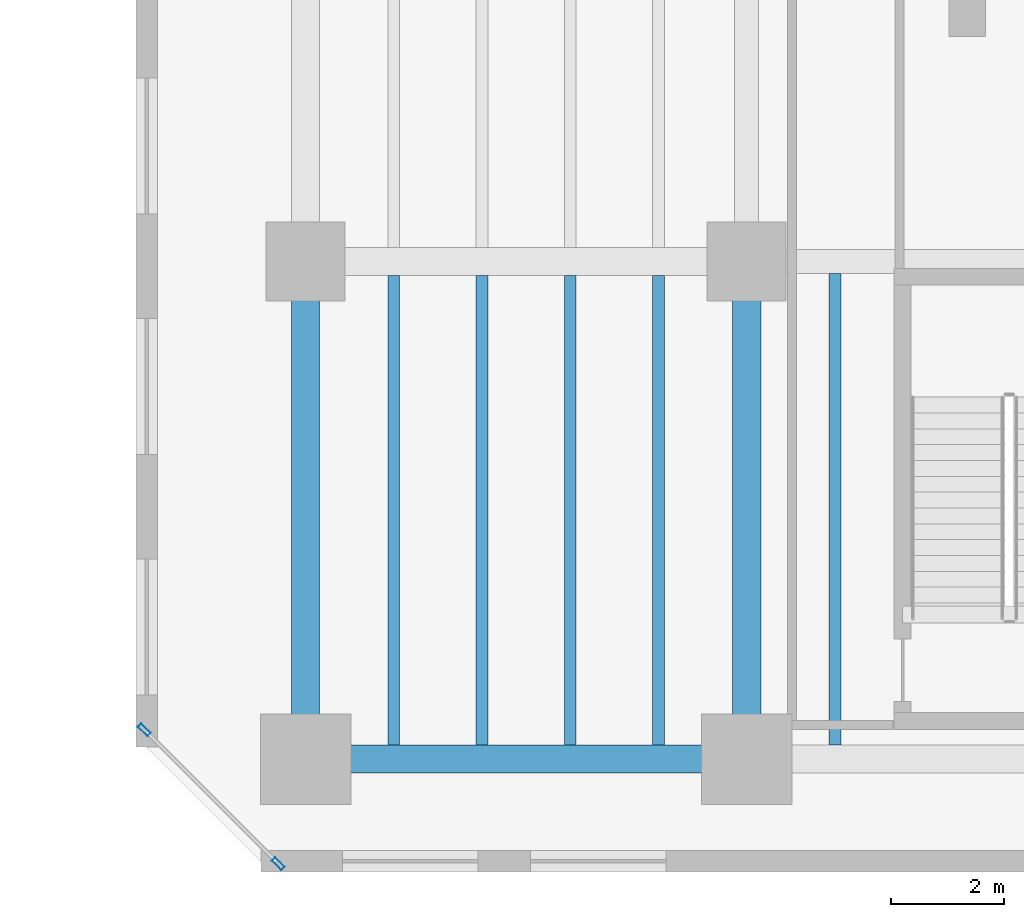
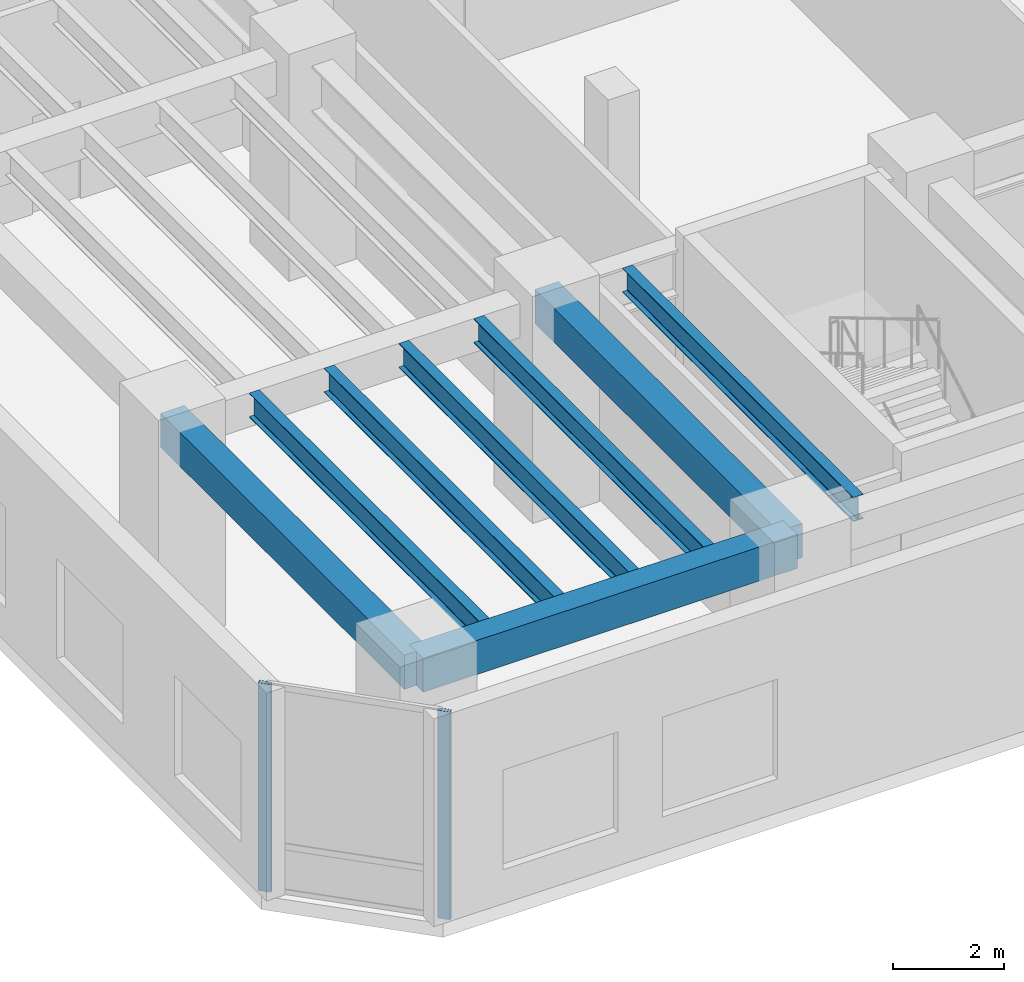
# One storey, part 2 of 20: 8 beams, 2 members, 1 element without a shape of its own.
"""IFC4 building model written with IfcOpenShell, lengths in metres."""

from ifc_helpers import new_model, si_unit, direction, frame, origin, origin_2d, place, context, subcontext, project, spatial, rectangle, hollow_rectangle, i_section, extrude, material, layer, layer_set, material_profile, profile_set, type_object, element, aggregate, save


model = new_model("IFC4")

# Units and contexts
model_context = context("Model", 3, precision=1e-05, world=origin(), true_north=direction((0.0, 1.0)))
body_context = subcontext(model_context, "Body", "Model", "MODEL_VIEW")
ifc_project = project(units=[si_unit("LENGTHUNIT", "METRE"), si_unit("AREAUNIT", "SQUARE_METRE"), si_unit("VOLUMEUNIT", "CUBIC_METRE"), si_unit("PLANEANGLEUNIT", "RADIAN"), si_unit("MASSUNIT", "GRAM", prefix="KILO")], contexts=[model_context])

# Site, building, storey
site_placement = place(None, origin())
site = spatial("IfcSite", under=ifc_project, at=site_placement, CompositionType="ELEMENT")
building_placement = place(site_placement, origin())
building = spatial("IfcBuilding", under=site, at=building_placement, Name="Kestravale Grand Hotel", CompositionType="ELEMENT")
storey_placement = place(building_placement, frame((0.0, 0.0, 15.800048828125)))
storey = spatial("IfcBuildingStorey", under=building, at=storey_placement, Name="L03", CompositionType="ELEMENT", Elevation=15.800048828125)

# Beams
ifc_material_1 = material(Name="Steel ASTM A992 Grade 50", Category="steel")
ifc_material_profile_1 = material_profile(ifc_material_1, i_section(OverallWidth=0.2099609375, OverallDepth=0.535888671875, WebThickness=0.010986328125, FlangeThickness=0.017333984375, FilletRadius=0.017578125, at=origin_2d()))
ifc_profile_set_1 = profile_set([ifc_material_profile_1], Name="Steel ASTM A992 Grade 50")
beam_type_1 = type_object("IfcBeamType", Name="B-FLR-JST21", PredefinedType="JOIST", material=ifc_profile_set_1)
for number, where, z_axis, x_axis, name in (
    (1, (1.56005859375, 2.64990234375, 4.31201171875), (0.0, 1.0, 0.0), (-1.0, 0.0, 0.0), "L03 floor joist 1-2/B-C #1"),
    (2, (3.1201171875, 2.64990234375, 4.31201171875), (0.0, 1.0, 0.0), (-1.0, 0.0, 0.0), "L03 floor joist 1-2/B-C #2"),
    (3, (4.679931640625, 2.64990234375, 4.31201171875), (0.0, 1.0, 0.0), (-1.0, 0.0, 0.0), "L03 floor joist 1-2/B-C #3"),
    (4, (6.239990234375, 2.64990234375, 4.31201171875), (0.0, 1.0, 0.0), (-1.0, 0.0, 0.0), "L03 floor joist 1-2/B-C #4"),
):
    element("IfcBeam", number, at=place(storey_placement, frame(where, z_axis=z_axis, x_axis=x_axis)), inside=storey, type_object=beam_type_1, Name=name, PredefinedType="JOIST", context=body_context, shape_type="SweptSolid", body=[
        extrude(i_section(OverallWidth=0.2099609375, OverallDepth=0.535888671875, WebThickness=0.010986328125, FlangeThickness=0.017333984375, FilletRadius=0.017578125, at=origin_2d()), origin(), (0.0, 0.0, 1.0), 8.300048828125),
    ])
beam_1_placement = place(storey_placement, frame((9.360107421875, 2.64990234375, 4.31201171875), z_axis=(0.0, 1.0, 0.0), x_axis=(-1.0, 0.0, 0.0)))
element("IfcBeam", 5, at=beam_1_placement, inside=storey, type_object=beam_type_1, Name="L03 floor joist 2-3/B-C #1", PredefinedType="JOIST", context=body_context, shape_type="SweptSolid", body=[
    extrude(i_section(OverallWidth=0.2099609375, OverallDepth=0.535888671875, WebThickness=0.010986328125, FlangeThickness=0.017333984375, FilletRadius=0.017578125, at=origin_2d()), origin(), (0.0, 0.0, 1.0), 8.336669921875),
])
ifc_material_2 = material(Name="Concrete f'c 45 MPa", Category="concrete")
ifc_material_profile_2 = material_profile(ifc_material_2, rectangle(XDim=0.5, YDim=0.75, at=origin_2d()))
ifc_profile_set_2 = profile_set([ifc_material_profile_2], Name="Concrete f'c 45 MPa")
beam_type_2 = type_object("IfcBeamType", Name="B-FLR-RC750", PredefinedType="SPANDREL", material=ifc_profile_set_2)
beam_2_placement = place(storey_placement, frame((0.0, 2.39990234375, 4.204833984375), z_axis=(1.0, 0.0, 0.0), x_axis=(0.0, 1.0, 0.0)))
element("IfcBeam", 6, at=beam_2_placement, inside=storey, type_object=beam_type_2, Name="L03 spandrel B:1-2", PredefinedType="SPANDREL", context=body_context, shape_type="SweptSolid", body=[
    extrude(rectangle(XDim=0.5, YDim=0.75, at=origin_2d()), origin(), (0.0, 0.0, 1.0), 7.800048828125),
])
for number, where, z_axis, x_axis, name in (
    (7, (0.0, 2.39990234375, 4.204833984375), (0.0, 1.0, 0.0), (-1.0, 0.0, 0.0), "L03 spandrel 1:B-C"),
    (8, (7.800048828125, 2.39990234375, 4.204833984375), (0.0, 1.0, 0.0), (-1.0, 0.0, 0.0), "L03 spandrel 2:B-C"),
):
    element("IfcBeam", number, at=place(storey_placement, frame(where, z_axis=z_axis, x_axis=x_axis)), inside=storey, type_object=beam_type_2, Name=name, PredefinedType="SPANDREL", context=body_context, shape_type="SweptSolid", body=[
        extrude(rectangle(XDim=0.5, YDim=0.75, at=origin_2d()), origin(), (0.0, 0.0, 1.0), 8.800048828125),
    ])

# Curtain wall, members
ifc_material_3 = material(Name="Thermally broken champagne-bronze aluminium and low-E glazing", Category="aluminium")
ifc_layer = layer(ifc_material_3, 0.239990234375)
ifc_layer_set = layer_set([ifc_layer], Name="CW-POD")
curtain_wall_type = type_object("IfcCurtainWallType", Name="CW-POD", PredefinedType="NOTDEFINED", material=ifc_layer_set)
curtain_wall_placement = place(storey_placement, origin())
curtain_wall = element("IfcCurtainWall", 9, at=curtain_wall_placement, inside=storey, type_object=curtain_wall_type, Name="L03 unitised curtain wall 8", PredefinedType="NOTDEFINED")
ifc_material_4 = material(Name="Aluminium 6063-T6 anodised", Category="aluminium")
ifc_material_profile_3 = material_profile(ifc_material_4, hollow_rectangle(XDim=0.0849609375, YDim=0.239990234375, WallThickness=0.00439453125, at=origin_2d()))
ifc_profile_set_3 = profile_set([ifc_material_profile_3], Name="Aluminium 6063-T6 anodised")
member_type = type_object("IfcMemberType", Name="CW-MUL-240", PredefinedType="MULLION", material=ifc_profile_set_3)
member_1_placement = place(storey_placement, frame((-2.849853515625, 2.91845703125, 0.0), z_axis=(0.0, 0.0, 1.0), x_axis=(0.707106781187, 0.707106781187, 0.0)))
member_1 = element("IfcMember", 10, at=member_1_placement, type_object=member_type, Name="CW-POD mullion 1", PredefinedType="MULLION", context=body_context, shape_type="SweptSolid", body=[
    extrude(hollow_rectangle(XDim=0.0849609375, YDim=0.239990234375, WallThickness=0.00439453125, at=origin_2d()), origin(), (0.0, 0.0, 1.0), 4.579833984375),
])
member_2_placement = place(storey_placement, frame((-0.4814453125, 0.55029296875, 0.0), z_axis=(0.0, 0.0, 1.0), x_axis=(0.707106781187, 0.707106781187, 0.0)))
member_2 = element("IfcMember", 11, at=member_2_placement, type_object=member_type, Name="CW-POD mullion 2", PredefinedType="MULLION", context=body_context, shape_type="SweptSolid", body=[
    extrude(hollow_rectangle(XDim=0.0849609375, YDim=0.239990234375, WallThickness=0.00439453125, at=origin_2d()), origin(), (0.0, 0.0, 1.0), 4.579833984375),
])
aggregate(curtain_wall, [member_1, member_2])

save(model, "model.ifc")
